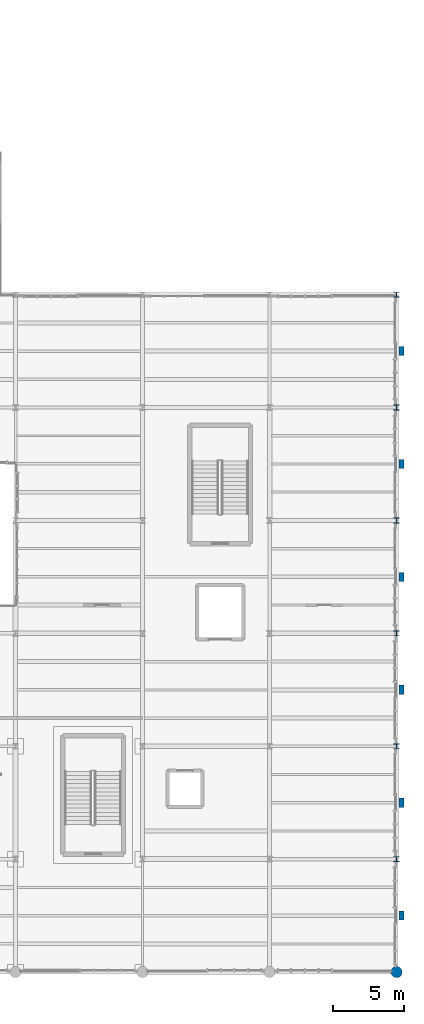
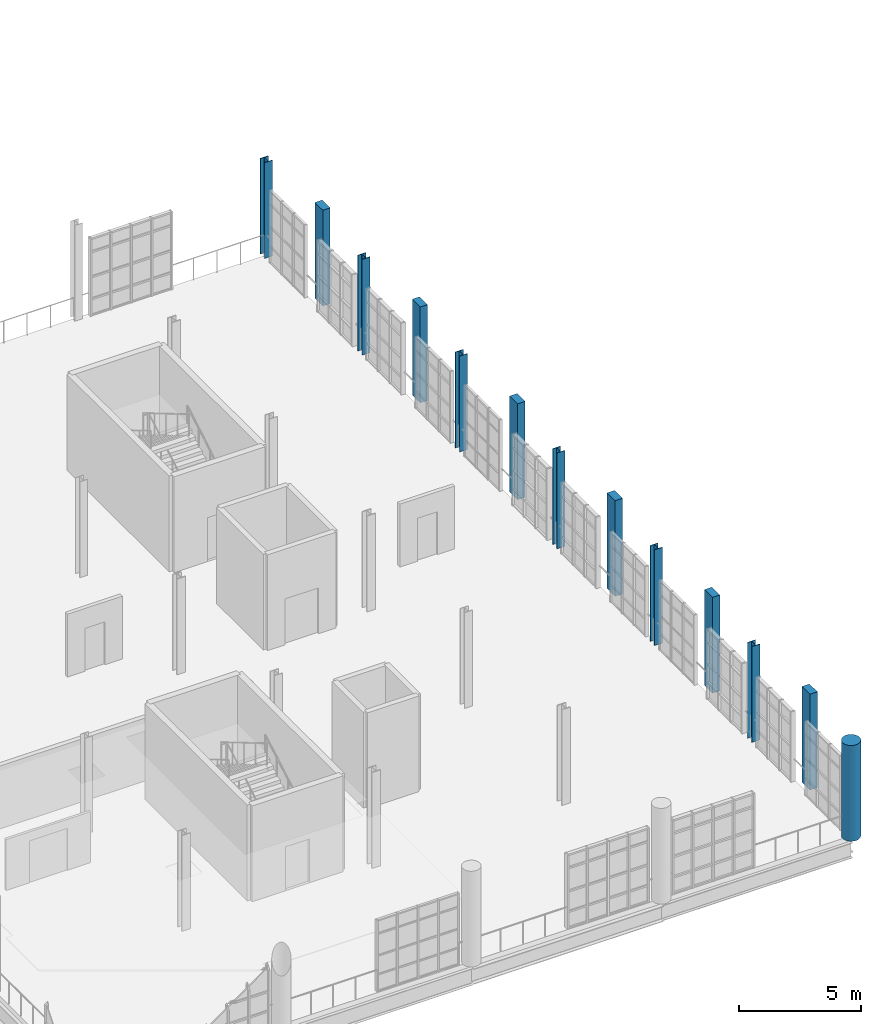
# One storey, part 12 of 122: 13 columns.
"""IFC4 building model written with IfcOpenShell, lengths in metres."""

import ifcopenshell
import ifcopenshell.guid

model = None  # the IFC model being written
_history = None  # IfcOwnerHistory: only IFC2X3 demands one
_inside = {}  # id of a spatial element -> (the spatial element, [elements in it])
_under = {}  # id of a project, library or spatial element -> (it, [spatial elements below it])
_declared = {}  # id of a project -> (the project, [libraries it declares])
_typed = {}  # id of a type object -> (the type object, [elements of that type])
_made_of = {}  # id of a material, layer set ... -> (it, [elements and type objects made of it])


def new_model(schema):
    """Start an empty IFC model of exactly this schema.

    Asked for "IFC4X3", IfcOpenShell would pick the latest addendum, in which some entities
    have other attributes; the version numbers below select the first issue.
    IFC2X3 requires an IfcOwnerHistory on every rooted entity: one is made here for all.
    """
    global model, _history
    if schema == "IFC4X3":
        model = ifcopenshell.file(schema_version=(4, 3, 0, 0))
    else:
        model = ifcopenshell.file(schema=schema)
    _inside.clear()
    _under.clear()
    _declared.clear()
    _typed.clear()
    _made_of.clear()
    _history = None
    if model.schema == "IFC2X3":
        org = make("IfcOrganization", Name="unknown")
        user = make(
            "IfcPersonAndOrganization",
            ThePerson=make("IfcPerson", FamilyName="unknown"),
            TheOrganization=org,
        )
        app = make(
            "IfcApplication",
            ApplicationDeveloper=org,
            Version="unknown",
            ApplicationFullName="unknown",
            ApplicationIdentifier="unknown",
        )
        _history = make(
            "IfcOwnerHistory",
            OwningUser=user,
            OwningApplication=app,
            ChangeAction="ADDED",
            CreationDate=0,
        )
    return model


def make(cls, **values):
    """One entity of the class cls with the attributes given. An attribute that is None is left unset."""
    return model.create_entity(
        cls, **{name: value for name, value in values.items() if value is not None}
    )


def rooted(cls, **values):
    """An entity with a GlobalId (a new one), such as an element, a storey or a relation."""
    return make(cls, GlobalId=ifcopenshell.guid.new(), OwnerHistory=_history, **values)


def si_unit(unit_type, name, prefix=None):
    """IfcSIUnit, for example si_unit("LENGTHUNIT", "METRE", prefix="MILLI")."""
    return make("IfcSIUnit", UnitType=unit_type, Prefix=prefix, Name=name)


def assignment(units):
    """IfcUnitAssignment: the units of a project."""
    return None if units is None else make("IfcUnitAssignment", Units=units)


def point(xyz):
    """IfcCartesianPoint."""
    return None if xyz is None else make("IfcCartesianPoint", Coordinates=xyz)


def direction(xyz):
    """IfcDirection."""
    return None if xyz is None else make("IfcDirection", DirectionRatios=xyz)


def frame(location, z_axis=None, x_axis=None):
    """IfcAxis2Placement3D, a coordinate frame: its origin and axes. An axis left out is left unset."""
    return make(
        "IfcAxis2Placement3D",
        Location=point(location),
        Axis=direction(z_axis),
        RefDirection=direction(x_axis),
    )


def frame_2d(location, x_axis=None):
    """IfcAxis2Placement2D, a coordinate frame in the plane: its origin and x axis."""
    return make(
        "IfcAxis2Placement2D", Location=point(location), RefDirection=direction(x_axis)
    )


def origin():
    """The frame at (0, 0, 0) with its axes left unset."""
    return frame((0.0, 0.0, 0.0))


def origin_2d():
    """The frame at (0, 0) in the plane with its x axis left unset."""
    return frame_2d((0.0, 0.0))


def place(relative_to, where):
    """IfcLocalPlacement: puts the frame where relative to a parent placement (None: the world)."""
    return make(
        "IfcLocalPlacement", PlacementRelTo=relative_to, RelativePlacement=where
    )


def context(
    kind, dimensions, precision=None, world=None, true_north=None, identifier=None
):
    """IfcGeometricRepresentationContext, for example the 3D "Model" context."""
    return make(
        "IfcGeometricRepresentationContext",
        ContextIdentifier=identifier,
        ContextType=kind,
        CoordinateSpaceDimension=dimensions,
        Precision=precision,
        WorldCoordinateSystem=world,
        TrueNorth=true_north,
    )


def subcontext(parent, identifier, kind, view, scale=None):
    """IfcGeometricRepresentationSubContext, for example "Body" below "Model"."""
    return make(
        "IfcGeometricRepresentationSubContext",
        ContextIdentifier=identifier,
        ContextType=kind,
        ParentContext=parent,
        TargetScale=scale,
        TargetView=view,
    )


def project(units=None, contexts=None):
    """IfcProject with its units and contexts."""
    return rooted(
        "IfcProject",
        Name="project",
        RepresentationContexts=contexts,
        UnitsInContext=assignment(units),
    )


def spatial(cls, under=None, at=None, **own):
    """A site, building, storey or space (cls), placed at a placement, below another one or the project."""
    s = rooted(cls, ObjectPlacement=at, **own)
    if under is not None:
        _under.setdefault(under.id(), (under, []))[1].append(s)
    return s


def profile(cls, at=None, kind="AREA", **sizes):
    """A parametric profile (cls). Its sizes go by their IFC names, for example OverallWidth=200.0."""
    return make(cls, ProfileType=kind, Position=at, **sizes)


def rectangle(**sizes):
    """IfcRectangleProfileDef."""
    return profile("IfcRectangleProfileDef", **sizes)


def circle(**sizes):
    """IfcCircleProfileDef."""
    return profile("IfcCircleProfileDef", **sizes)


def i_section(**sizes):
    """IfcIShapeProfileDef."""
    return profile("IfcIShapeProfileDef", **sizes)


def extrude(swept, where, along, depth):
    """IfcExtrudedAreaSolid: the profile swept, set in the frame where, extruded along a direction by depth."""
    return make(
        "IfcExtrudedAreaSolid",
        SweptArea=swept,
        Position=where,
        ExtrudedDirection=direction(along),
        Depth=depth,
    )


def shape(context_of_items, identifier, shape_type, items):
    """IfcShapeRepresentation: the items that make up one representation, for example the "Body"."""
    return make(
        "IfcShapeRepresentation",
        ContextOfItems=context_of_items,
        RepresentationIdentifier=identifier,
        RepresentationType=shape_type,
        Items=items,
    )


def material(Name=None, Category=None):
    """IfcMaterial."""
    return make("IfcMaterial", Name=Name, Category=Category)


def material_profile(
    of_material, cross_section, Name=None, Category=None, Priority=None
):
    """IfcMaterialProfile: a cross section and its material."""
    return make(
        "IfcMaterialProfile",
        Name=Name,
        Material=of_material,
        Profile=cross_section,
        Priority=Priority,
        Category=Category,
    )


def profile_set(profiles, Name=None, composite=None):
    """IfcMaterialProfileSet."""
    return make(
        "IfcMaterialProfileSet",
        Name=Name,
        MaterialProfiles=profiles,
        CompositeProfile=composite,
    )


def made_of(thing, what):
    """Note that an element or type object is made of a material, layer set ...; save() writes the relation."""
    if what is not None:
        _made_of.setdefault(what.id(), (what, []))[1].append(thing)
    return thing


def type_object(cls, material=None, **own):
    """A type object (cls), such as IfcWallType, which elements share."""
    return made_of(rooted(cls, **own), material)


def element(
    cls,
    number,
    at=None,
    inside=None,
    cuts=None,
    type_object=None,
    material=None,
    context=None,
    identifier="Body",
    shape_type=None,
    held_by="IfcProductDefinitionShape",
    body=None,
    shapes=None,
    **own,
):
    """One element of the class cls, such as IfcWall. Its Tag is "e" and its number.

    at: its placement. inside: the storey or other place that contains it. cuts: it is an
    opening in that element (IfcRelVoidsElement). A single representation is given by context,
    identifier, shape_type and body (its items); several are given by shapes. held_by: the class
    of the entity that holds the representations. save() writes the other relations.
    """
    e = rooted(cls, Tag="e%d" % number, ObjectPlacement=at, **own)
    if body is not None:
        shapes = [shape(context, identifier, shape_type, body)]
    if shapes is not None:
        e.Representation = make(held_by, Representations=shapes)
    if inside is not None:
        _inside.setdefault(inside.id(), (inside, []))[1].append(e)
    if cuts is not None:
        rooted(
            "IfcRelVoidsElement", RelatingBuildingElement=cuts, RelatedOpeningElement=e
        )
    if type_object is not None:
        _typed.setdefault(type_object.id(), (type_object, []))[1].append(e)
    return made_of(e, material)


def aggregate(whole, parts):
    """IfcRelAggregates: a whole, such as a stair, and the parts it consists of."""
    return rooted("IfcRelAggregates", RelatingObject=whole, RelatedObjects=parts)


def save(model, path):
    """Write the relations noted so far, then the file.

    IfcRelAggregates (storeys below a building ...), IfcRelContainedInSpatialStructure (elements
    in a storey), IfcRelDefinesByType, IfcRelAssociatesMaterial and IfcRelDeclares: one each for
    every whole, place, type object, material and project.
    """
    for whole, parts in _under.values():
        aggregate(whole, parts)
    for where, things in _inside.values():
        rooted(
            "IfcRelContainedInSpatialStructure",
            RelatedElements=things,
            RelatingStructure=where,
        )
    for kind, things in _typed.values():
        rooted("IfcRelDefinesByType", RelatedObjects=things, RelatingType=kind)
    for what, things in _made_of.values():
        rooted("IfcRelAssociatesMaterial", RelatedObjects=things, RelatingMaterial=what)
    for by, libraries in _declared.values():
        rooted("IfcRelDeclares", RelatingContext=by, RelatedDefinitions=libraries)
    model.write(path)


model = new_model("IFC4")

# Units and contexts
model_context = context("Model", 3, precision=1e-05, world=origin(), true_north=direction((0.0, 1.0)))
body_context = subcontext(model_context, "Body", "Model", "MODEL_VIEW")
ifc_project = project(units=[si_unit("LENGTHUNIT", "METRE"), si_unit("AREAUNIT", "SQUARE_METRE"), si_unit("VOLUMEUNIT", "CUBIC_METRE"), si_unit("PLANEANGLEUNIT", "RADIAN"), si_unit("MASSUNIT", "GRAM", prefix="KILO"), si_unit("THERMODYNAMICTEMPERATUREUNIT", "KELVIN"), si_unit("POWERUNIT", "WATT")], contexts=[model_context])

# Site, building, storey
site_placement = place(None, origin())
site = spatial("IfcSite", under=ifc_project, at=site_placement, CompositionType="ELEMENT")
building_placement = place(site_placement, origin())
building = spatial("IfcBuilding", under=site, at=building_placement, Name="Zelmaris Science Centre", CompositionType="ELEMENT")
storey_placement = place(building_placement, frame((0.0, 0.0, 10.800048828125)))
storey = spatial("IfcBuildingStorey", under=building, at=storey_placement, Name="L02", CompositionType="ELEMENT", Elevation=10.800048828125)

# Columns
ifc_material_1 = material(Name="Steel ASTM A992 Grade 50", Category="steel")
ifc_material_profile_1 = material_profile(ifc_material_1, i_section(OverallWidth=0.373046875, OverallDepth=0.367919921875, WebThickness=0.014892578125, FlangeThickness=0.02392578125, FilletRadius=0.014892578125, at=origin_2d()), Name="W14X120")
ifc_profile_set_1 = profile_set([ifc_material_profile_1], Name="Steel ASTM A992 Grade 50")
column_type_1 = type_object("IfcColumnType", Name="Column C-06 W14X120", PredefinedType="COLUMN", material=ifc_profile_set_1)
for number, where, z_axis, x_axis, name in (
    (1, (144.0, 16.0, 0.0), (0.0, 0.0, 1.0), (1.0, 0.0, 0.0), "Column V4-C-144-16 L02"),
    (2, (144.0, 24.0, 0.0), (0.0, 0.0, 1.0), (1.0, 0.0, 0.0), "Column V4-C-144-24 L02"),
    (3, (144.0, 32.0, 0.0), (0.0, 0.0, 1.0), (1.0, 0.0, 0.0), "Column V4-C-144-32 L02"),
    (4, (144.0, 40.0, 0.0), (0.0, 0.0, 1.0), (1.0, 0.0, 0.0), "Column V4-C-144-40 L02"),
    (5, (144.0, 48.0, 0.0), (0.0, 0.0, 1.0), (1.0, 0.0, 0.0), "Column V4-C-144-48 L02"),
    (6, (144.0, 56.0, 0.0), (0.0, 0.0, 1.0), (1.0, 0.0, 0.0), "Column V4-C-144-56 L02"),
):
    element("IfcColumn", number, at=place(storey_placement, frame(where, z_axis=z_axis, x_axis=x_axis)), inside=storey, type_object=column_type_1, Name=name, PredefinedType="COLUMN", context=body_context, shape_type="SweptSolid", body=[
        extrude(i_section(OverallWidth=0.373046875, OverallDepth=0.367919921875, WebThickness=0.014892578125, FlangeThickness=0.02392578125, FilletRadius=0.014892578125, at=origin_2d()), origin(), (0.0, 0.0, 1.0), 4.800048828125),
    ])
ifc_material_2 = material(Name="Yucatan limestone ashlar masonry", Category="masonry")
ifc_material_profile_2 = material_profile(ifc_material_2, circle(Radius=0.39990234375, at=origin_2d()), Name="COL-LIM-D800")
ifc_profile_set_2 = profile_set([ifc_material_profile_2], Name="Yucatan limestone ashlar masonry")
column_type_2 = type_object("IfcColumnType", Name="Column C-17 COL-LIM-D800", PredefinedType="COLUMN", material=ifc_profile_set_2)
column_placement = place(storey_placement, frame((144.0, 8.0, 0.0), z_axis=(0.0, 0.0, 1.0), x_axis=(1.0, 0.0, 0.0)))
element("IfcColumn", 7, at=column_placement, inside=storey, type_object=column_type_2, Name="Column V4-C-144-8 L02", PredefinedType="COLUMN", context=body_context, shape_type="SweptSolid", body=[
    extrude(circle(Radius=0.39990234375, at=origin_2d()), origin(), (0.0, 0.0, 1.0), 4.800048828125),
])
ifc_material_profile_3 = material_profile(ifc_material_2, rectangle(XDim=0.64990234375, YDim=0.35009765625, at=origin_2d()), Name="PIL-LIM-650X350")
ifc_profile_set_3 = profile_set([ifc_material_profile_3], Name="Yucatan limestone ashlar masonry")
column_type_3 = type_object("IfcColumnType", Name="Pilaster PL-02 PIL-LIM-650X350", PredefinedType="PILASTER", material=ifc_profile_set_3)
for number, where, z_axis, x_axis, name in (
    (8, (144.35009765625, 12.0, 0.0), (0.0, 0.0, 1.0), (0.0, 1.0, 0.0), "Limestone pilaster PIL-V4E-1 L02"),
    (9, (144.35009765625, 20.0, 0.0), (0.0, 0.0, 1.0), (0.0, 1.0, 0.0), "Limestone pilaster PIL-V4E-2 L02"),
    (10, (144.35009765625, 28.0, 0.0), (0.0, 0.0, 1.0), (0.0, 1.0, 0.0), "Limestone pilaster PIL-V4E-3 L02"),
    (11, (144.35009765625, 36.0, 0.0), (0.0, 0.0, 1.0), (0.0, 1.0, 0.0), "Limestone pilaster PIL-V4E-4 L02"),
    (12, (144.35009765625, 44.0, 0.0), (0.0, 0.0, 1.0), (0.0, 1.0, 0.0), "Limestone pilaster PIL-V4E-5 L02"),
    (13, (144.35009765625, 52.0, 0.0), (0.0, 0.0, 1.0), (0.0, 1.0, 0.0), "Limestone pilaster PIL-V4E-6 L02"),
):
    element("IfcColumn", number, at=place(storey_placement, frame(where, z_axis=z_axis, x_axis=x_axis)), inside=storey, type_object=column_type_3, Name=name, PredefinedType="PILASTER", context=body_context, shape_type="SweptSolid", body=[
        extrude(rectangle(XDim=0.64990234375, YDim=0.35009765625, at=origin_2d()), origin(), (0.0, 0.0, 1.0), 4.800048828125),
    ])

save(model, "model.ifc")
